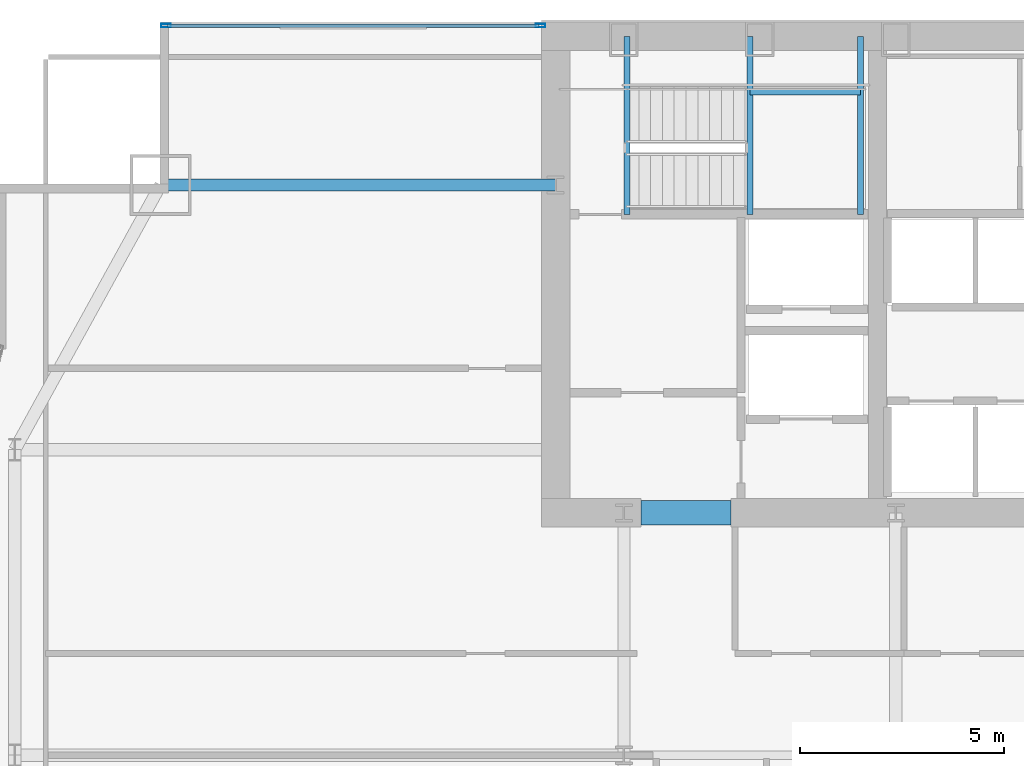
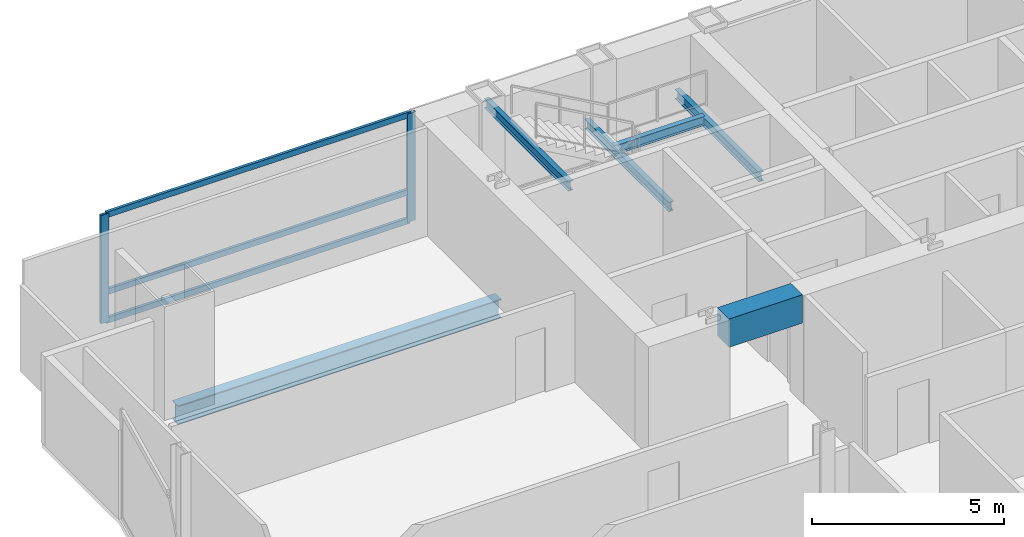
# One storey, part 18 of 32: 6 beams, 5 members, 1 element without a shape of its own.
"""IFC4 building model written with IfcOpenShell, lengths in metres."""

from ifc_helpers import new_model, si_unit, direction, frame, origin, origin_2d, place, context, subcontext, project, spatial, rectangle, hollow_rectangle, i_section, extrude, material, material_profile, profile_set, type_object, element, aggregate, save


model = new_model("IFC4")

# Units and contexts
model_context = context("Model", 3, precision=1e-05, world=origin(), true_north=direction((0.0, 1.0)))
body_context = subcontext(model_context, "Body", "Model", "MODEL_VIEW")
ifc_project = project(units=[si_unit("LENGTHUNIT", "METRE"), si_unit("AREAUNIT", "SQUARE_METRE"), si_unit("VOLUMEUNIT", "CUBIC_METRE"), si_unit("PLANEANGLEUNIT", "RADIAN"), si_unit("MASSUNIT", "GRAM", prefix="KILO")], contexts=[model_context])

# Site, building, storey
site_placement = place(None, origin())
site = spatial("IfcSite", under=ifc_project, at=site_placement, CompositionType="ELEMENT")
building_placement = place(site_placement, origin())
building = spatial("IfcBuilding", under=site, at=building_placement, Name="Khoronbel Lancet Exchange", CompositionType="ELEMENT")
storey_placement = place(building_placement, frame((0.0, 0.0, 111.0)))
storey = spatial("IfcBuildingStorey", under=building, at=storey_placement, Name="L26", CompositionType="ELEMENT", Elevation=111.0)

# Beams
ifc_material_1 = material(Name="Steel S355", Category="steel")
ifc_material_profile_1 = material_profile(ifc_material_1, i_section(OverallWidth=0.14990234375, OverallDepth=0.300048828125, WebThickness=0.007080078125, FlangeThickness=0.0107421875, at=origin_2d()), Name="IPE 300")
ifc_profile_set_1 = profile_set([ifc_material_profile_1], Name="Steel S355")
beam_type_1 = type_object("IfcBeamType", Name="BM-BJ8", PredefinedType="JOIST", material=ifc_profile_set_1)
for number, where, z_axis, x_axis, name in (
    (1, (21.320068359375, 48.97998046875, 1.449951171875), (0.0, 1.0, 0.0), (-1.0, 0.0, 0.0), "Level L26 stair ST1 landing bearer beam 1"),
    (2, (24.030029296875, 48.97998046875, 1.449951171875), (0.0, 1.0, 0.0), (-1.0, 0.0, 0.0), "Level L26 stair ST1 rear landing bearer beam 1"),
):
    element("IfcBeam", number, at=place(storey_placement, frame(where, z_axis=z_axis, x_axis=x_axis)), inside=storey, type_object=beam_type_1, Name=name, PredefinedType="JOIST", context=body_context, shape_type="SweptSolid", body=[
        extrude(i_section(OverallWidth=0.14990234375, OverallDepth=0.300048828125, WebThickness=0.007080078125, FlangeThickness=0.0107421875, at=origin_2d()), origin(), (0.0, 0.0, 1.0), 4.3701171875),
    ])
beam_1_placement = place(storey_placement, frame((21.320068359375, 51.97998046875, 1.449951171875), z_axis=(1.0, 0.0, 0.0), x_axis=(0.0, 1.0, 0.0)))
element("IfcBeam", 3, at=beam_1_placement, inside=storey, type_object=beam_type_1, Name="Level L26 stair ST1 landing cross trimmer beam 1", PredefinedType="JOIST", context=body_context, shape_type="SweptSolid", body=[
    extrude(i_section(OverallWidth=0.14990234375, OverallDepth=0.300048828125, WebThickness=0.007080078125, FlangeThickness=0.0107421875, at=origin_2d()), origin(), (0.0, 0.0, 1.0), 2.7099609375),
])
beam_2_placement = place(storey_placement, frame((18.300048828125, 48.97998046875, 3.159912109375), z_axis=(0.0, 1.0, 0.0), x_axis=(-1.0, 0.0, 0.0)))
element("IfcBeam", 4, at=beam_2_placement, inside=storey, type_object=beam_type_1, Name="Level L26 stair ST1 upper-flight arrival trimmer beam", PredefinedType="JOIST", context=body_context, shape_type="SweptSolid", body=[
    extrude(i_section(OverallWidth=0.14990234375, OverallDepth=0.300048828125, WebThickness=0.007080078125, FlangeThickness=0.0107421875, at=origin_2d()), origin(), (0.0, 0.0, 1.0), 4.3701171875),
])
ifc_material_2 = material(Name="Concrete C80/95", Category="concrete")
ifc_material_profile_2 = material_profile(ifc_material_2, rectangle(XDim=0.60009765625, YDim=0.89990234375, at=origin_2d()), Name="RC 600x900")
ifc_profile_set_2 = profile_set([ifc_material_profile_2], Name="Concrete C80/95")
beam_type_2 = type_object("IfcBeamType", Name="BM-BL1", PredefinedType="LINTEL", material=ifc_profile_set_2)
beam_3_placement = place(storey_placement, frame((18.64990234375, 41.64990234375, 2.989990234375), z_axis=(1.0, 0.0, 0.0), x_axis=(0.0, 1.0, 0.0)))
element("IfcBeam", 5, at=beam_3_placement, inside=storey, type_object=beam_type_2, Name="Level L26 rear core coupling lintel L1", PredefinedType="LINTEL", context=body_context, shape_type="SweptSolid", body=[
    extrude(rectangle(XDim=0.60009765625, YDim=0.89990234375, at=origin_2d()), origin(), (0.0, 0.0, 1.0), 2.2001953125),
])
ifc_material_profile_3 = material_profile(ifc_material_1, i_section(OverallWidth=0.300048828125, OverallDepth=0.60009765625, WebThickness=0.015380859375, FlangeThickness=0.030029296875, at=origin_2d()), Name="HEB 600")
ifc_profile_set_3 = profile_set([ifc_material_profile_3], Name="Steel S355")
beam_type_3 = type_object("IfcBeamType", Name="BM-BSP2", PredefinedType="SPANDREL", material=ifc_profile_set_3)
beam_4_placement = place(storey_placement, frame((6.85009765625, 49.699951171875, -0.4599609375), z_axis=(1.0, 0.0, 0.0), x_axis=(0.0, 1.0, 0.0)))
element("IfcBeam", 6, at=beam_4_placement, inside=storey, type_object=beam_type_3, Name="Level L26 north flank tie spandrel SP22", PredefinedType="SPANDREL", context=body_context, shape_type="SweptSolid", body=[
    extrude(i_section(OverallWidth=0.300048828125, OverallDepth=0.60009765625, WebThickness=0.015380859375, FlangeThickness=0.030029296875, at=origin_2d()), origin(), (0.0, 0.0, 1.0), 9.699951171875),
])

# Curtain wall, members
ifc_material_3 = material(Name="Low-E Solar Control Insulating Glass", Category="glass")
curtain_wall_type = type_object("IfcCurtainWallType", Name="CW-2", PredefinedType="NOTDEFINED", material=ifc_material_3)
curtain_wall_placement = place(storey_placement, origin())
curtain_wall = element("IfcCurtainWall", 7, at=curtain_wall_placement, inside=storey, type_object=curtain_wall_type, Name="Unitised curtain wall CW-L26-NWFLK", PredefinedType="NOTDEFINED")
ifc_material_4 = material(Name="Bronze-Anodised Aluminium 6063-T6", Category="aluminium")
ifc_material_profile_4 = material_profile(ifc_material_4, hollow_rectangle(XDim=0.0849609375, YDim=0.239990234375, WallThickness=0.006103515625, at=origin_2d()), Name="ALU MULLION 85x240")
ifc_profile_set_4 = profile_set([ifc_material_profile_4], Name="Bronze-Anodised Aluminium 6063-T6")
member_type_1 = type_object("IfcMemberType", Name="MEM-CWM1", PredefinedType="MULLION", material=ifc_profile_set_4)
member_1_placement = place(storey_placement, frame((16.177490234375, 53.610107421875, 0.0), z_axis=(0.0, 0.0, 1.0), x_axis=(0.0, -1.0, 0.0)))
member_1 = element("IfcMember", 8, at=member_1_placement, type_object=member_type_1, Name="CW2 mullion 1", PredefinedType="MULLION", context=body_context, shape_type="SweptSolid", body=[
    extrude(hollow_rectangle(XDim=0.0849609375, YDim=0.239990234375, WallThickness=0.006103515625, at=origin_2d()), origin(), (0.0, 0.0, 1.0), 3.43994140625),
])
member_2_placement = place(storey_placement, frame((6.982421875, 53.610107421875, 0.0), z_axis=(0.0, 0.0, 1.0), x_axis=(0.0, -1.0, 0.0)))
member_2 = element("IfcMember", 9, at=member_2_placement, type_object=member_type_1, Name="CW2 mullion 2", PredefinedType="MULLION", context=body_context, shape_type="SweptSolid", body=[
    extrude(hollow_rectangle(XDim=0.0849609375, YDim=0.239990234375, WallThickness=0.006103515625, at=origin_2d()), origin(), (0.0, 0.0, 1.0), 3.43994140625),
])
ifc_material_profile_5 = material_profile(ifc_material_4, hollow_rectangle(XDim=0.0849609375, YDim=0.179931640625, WallThickness=0.0048828125, at=origin_2d()), Name="ALU TRANSOM 85x180")
ifc_profile_set_5 = profile_set([ifc_material_profile_5], Name="Bronze-Anodised Aluminium 6063-T6")
member_type_2 = type_object("IfcMemberType", Name="MEM-CWT1", PredefinedType="USERDEFINED", material=ifc_profile_set_5)
member_3_placement = place(storey_placement, frame((16.135009765625, 53.610107421875, 0.04248046875), z_axis=(-1.0, 0.0, 0.0), x_axis=(0.0, -1.0, 0.0)))
member_3 = element("IfcMember", 10, at=member_3_placement, type_object=member_type_2, Name="CW2 transom 1.1", ObjectType="TRANSOM", PredefinedType="USERDEFINED", context=body_context, shape_type="SweptSolid", body=[
    extrude(hollow_rectangle(XDim=0.0849609375, YDim=0.179931640625, WallThickness=0.0048828125, at=origin_2d()), origin(), (0.0, 0.0, 1.0), 9.110107421875),
])
member_4_placement = place(storey_placement, frame((16.135009765625, 53.610107421875, 0.949951171875), z_axis=(-1.0, 0.0, 0.0), x_axis=(0.0, -1.0, 0.0)))
member_4 = element("IfcMember", 11, at=member_4_placement, type_object=member_type_2, Name="CW2 transom 1.2", ObjectType="TRANSOM", PredefinedType="USERDEFINED", context=body_context, shape_type="SweptSolid", body=[
    extrude(hollow_rectangle(XDim=0.0849609375, YDim=0.179931640625, WallThickness=0.0048828125, at=origin_2d()), origin(), (0.0, 0.0, 1.0), 9.110107421875),
])
member_5_placement = place(storey_placement, frame((16.135009765625, 53.610107421875, 3.3974609375), z_axis=(-1.0, 0.0, 0.0), x_axis=(0.0, -1.0, 0.0)))
member_5 = element("IfcMember", 12, at=member_5_placement, type_object=member_type_2, Name="CW2 transom 1.3", ObjectType="TRANSOM", PredefinedType="USERDEFINED", context=body_context, shape_type="SweptSolid", body=[
    extrude(hollow_rectangle(XDim=0.0849609375, YDim=0.179931640625, WallThickness=0.0048828125, at=origin_2d()), origin(), (0.0, 0.0, 1.0), 9.110107421875),
])
aggregate(curtain_wall, [member_1, member_2, member_3, member_4, member_5])

save(model, "model.ifc")
